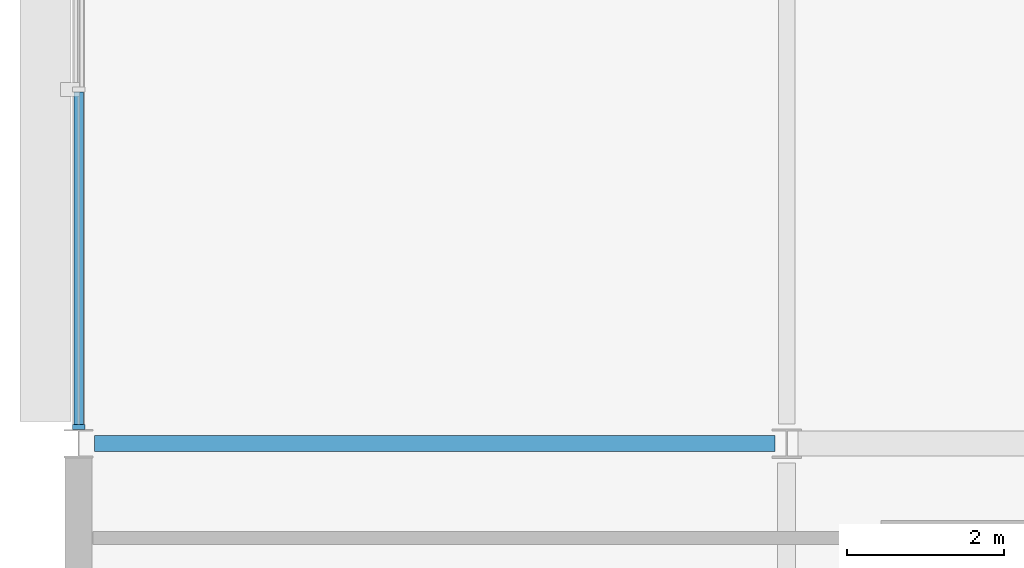
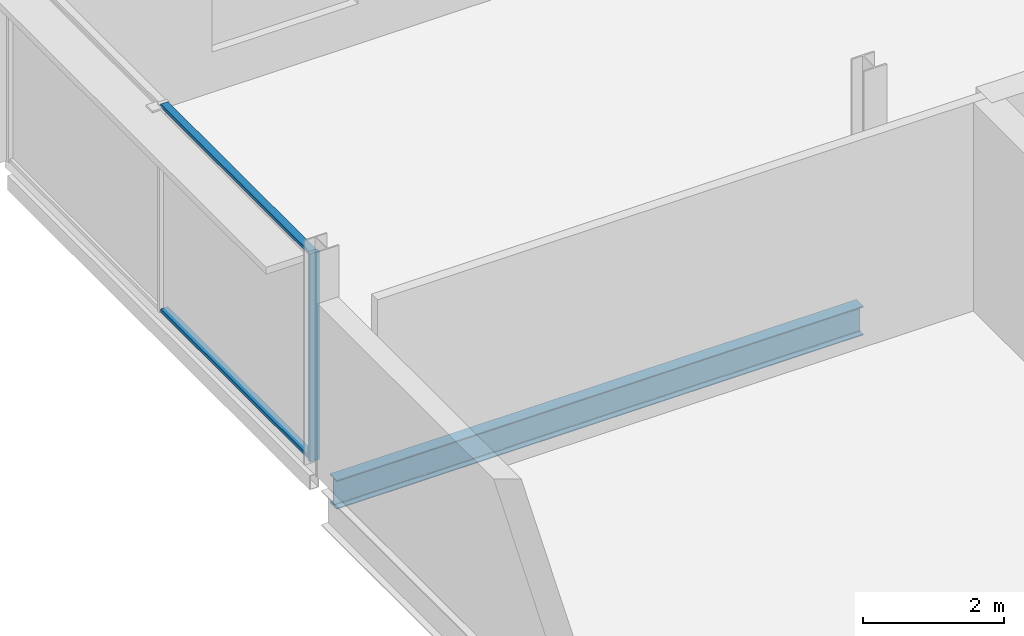
# One storey, part 29 of 98: 3 members, 1 beam, 1 element without a shape of its own.
"""IFC4 building model written with IfcOpenShell, lengths in metres."""

import ifcopenshell
import ifcopenshell.guid

model = None  # the IFC model being written
_history = None  # IfcOwnerHistory: only IFC2X3 demands one
_inside = {}  # id of a spatial element -> (the spatial element, [elements in it])
_under = {}  # id of a project, library or spatial element -> (it, [spatial elements below it])
_declared = {}  # id of a project -> (the project, [libraries it declares])
_typed = {}  # id of a type object -> (the type object, [elements of that type])
_made_of = {}  # id of a material, layer set ... -> (it, [elements and type objects made of it])


def new_model(schema):
    """Start an empty IFC model of exactly this schema.

    Asked for "IFC4X3", IfcOpenShell would pick the latest addendum, in which some entities
    have other attributes; the version numbers below select the first issue.
    IFC2X3 requires an IfcOwnerHistory on every rooted entity: one is made here for all.
    """
    global model, _history
    if schema == "IFC4X3":
        model = ifcopenshell.file(schema_version=(4, 3, 0, 0))
    else:
        model = ifcopenshell.file(schema=schema)
    _inside.clear()
    _under.clear()
    _declared.clear()
    _typed.clear()
    _made_of.clear()
    _history = None
    if model.schema == "IFC2X3":
        org = make("IfcOrganization", Name="unknown")
        user = make(
            "IfcPersonAndOrganization",
            ThePerson=make("IfcPerson", FamilyName="unknown"),
            TheOrganization=org,
        )
        app = make(
            "IfcApplication",
            ApplicationDeveloper=org,
            Version="unknown",
            ApplicationFullName="unknown",
            ApplicationIdentifier="unknown",
        )
        _history = make(
            "IfcOwnerHistory",
            OwningUser=user,
            OwningApplication=app,
            ChangeAction="ADDED",
            CreationDate=0,
        )
    return model


def make(cls, **values):
    """One entity of the class cls with the attributes given. An attribute that is None is left unset."""
    return model.create_entity(
        cls, **{name: value for name, value in values.items() if value is not None}
    )


def rooted(cls, **values):
    """An entity with a GlobalId (a new one), such as an element, a storey or a relation."""
    return make(cls, GlobalId=ifcopenshell.guid.new(), OwnerHistory=_history, **values)


def si_unit(unit_type, name, prefix=None):
    """IfcSIUnit, for example si_unit("LENGTHUNIT", "METRE", prefix="MILLI")."""
    return make("IfcSIUnit", UnitType=unit_type, Prefix=prefix, Name=name)


def assignment(units):
    """IfcUnitAssignment: the units of a project."""
    return None if units is None else make("IfcUnitAssignment", Units=units)


def point(xyz):
    """IfcCartesianPoint."""
    return None if xyz is None else make("IfcCartesianPoint", Coordinates=xyz)


def direction(xyz):
    """IfcDirection."""
    return None if xyz is None else make("IfcDirection", DirectionRatios=xyz)


def frame(location, z_axis=None, x_axis=None):
    """IfcAxis2Placement3D, a coordinate frame: its origin and axes. An axis left out is left unset."""
    return make(
        "IfcAxis2Placement3D",
        Location=point(location),
        Axis=direction(z_axis),
        RefDirection=direction(x_axis),
    )


def frame_2d(location, x_axis=None):
    """IfcAxis2Placement2D, a coordinate frame in the plane: its origin and x axis."""
    return make(
        "IfcAxis2Placement2D", Location=point(location), RefDirection=direction(x_axis)
    )


def origin():
    """The frame at (0, 0, 0) with its axes left unset."""
    return frame((0.0, 0.0, 0.0))


def origin_2d():
    """The frame at (0, 0) in the plane with its x axis left unset."""
    return frame_2d((0.0, 0.0))


def place(relative_to, where):
    """IfcLocalPlacement: puts the frame where relative to a parent placement (None: the world)."""
    return make(
        "IfcLocalPlacement", PlacementRelTo=relative_to, RelativePlacement=where
    )


def context(
    kind, dimensions, precision=None, world=None, true_north=None, identifier=None
):
    """IfcGeometricRepresentationContext, for example the 3D "Model" context."""
    return make(
        "IfcGeometricRepresentationContext",
        ContextIdentifier=identifier,
        ContextType=kind,
        CoordinateSpaceDimension=dimensions,
        Precision=precision,
        WorldCoordinateSystem=world,
        TrueNorth=true_north,
    )


def subcontext(parent, identifier, kind, view, scale=None):
    """IfcGeometricRepresentationSubContext, for example "Body" below "Model"."""
    return make(
        "IfcGeometricRepresentationSubContext",
        ContextIdentifier=identifier,
        ContextType=kind,
        ParentContext=parent,
        TargetScale=scale,
        TargetView=view,
    )


def project(units=None, contexts=None):
    """IfcProject with its units and contexts."""
    return rooted(
        "IfcProject",
        Name="project",
        RepresentationContexts=contexts,
        UnitsInContext=assignment(units),
    )


def spatial(cls, under=None, at=None, **own):
    """A site, building, storey or space (cls), placed at a placement, below another one or the project."""
    s = rooted(cls, ObjectPlacement=at, **own)
    if under is not None:
        _under.setdefault(under.id(), (under, []))[1].append(s)
    return s


def profile(cls, at=None, kind="AREA", **sizes):
    """A parametric profile (cls). Its sizes go by their IFC names, for example OverallWidth=200.0."""
    return make(cls, ProfileType=kind, Position=at, **sizes)


def rectangle(**sizes):
    """IfcRectangleProfileDef."""
    return profile("IfcRectangleProfileDef", **sizes)


def i_section(**sizes):
    """IfcIShapeProfileDef."""
    return profile("IfcIShapeProfileDef", **sizes)


def extrude(swept, where, along, depth):
    """IfcExtrudedAreaSolid: the profile swept, set in the frame where, extruded along a direction by depth."""
    return make(
        "IfcExtrudedAreaSolid",
        SweptArea=swept,
        Position=where,
        ExtrudedDirection=direction(along),
        Depth=depth,
    )


def shape(context_of_items, identifier, shape_type, items):
    """IfcShapeRepresentation: the items that make up one representation, for example the "Body"."""
    return make(
        "IfcShapeRepresentation",
        ContextOfItems=context_of_items,
        RepresentationIdentifier=identifier,
        RepresentationType=shape_type,
        Items=items,
    )


def material(Name=None, Category=None):
    """IfcMaterial."""
    return make("IfcMaterial", Name=Name, Category=Category)


def layer(
    of_material, thickness, ventilated=None, Name=None, Category=None, Priority=None
):
    """IfcMaterialLayer: one layer of a wall or slab, of a material (None: an air gap)."""
    return make(
        "IfcMaterialLayer",
        Material=of_material,
        LayerThickness=thickness,
        IsVentilated=ventilated,
        Name=Name,
        Category=Category,
        Priority=Priority,
    )


def layer_set(layers, Name=None):
    """IfcMaterialLayerSet."""
    return make("IfcMaterialLayerSet", MaterialLayers=layers, LayerSetName=Name)


def material_profile(
    of_material, cross_section, Name=None, Category=None, Priority=None
):
    """IfcMaterialProfile: a cross section and its material."""
    return make(
        "IfcMaterialProfile",
        Name=Name,
        Material=of_material,
        Profile=cross_section,
        Priority=Priority,
        Category=Category,
    )


def profile_set(profiles, Name=None, composite=None):
    """IfcMaterialProfileSet."""
    return make(
        "IfcMaterialProfileSet",
        Name=Name,
        MaterialProfiles=profiles,
        CompositeProfile=composite,
    )


def made_of(thing, what):
    """Note that an element or type object is made of a material, layer set ...; save() writes the relation."""
    if what is not None:
        _made_of.setdefault(what.id(), (what, []))[1].append(thing)
    return thing


def type_object(cls, material=None, **own):
    """A type object (cls), such as IfcWallType, which elements share."""
    return made_of(rooted(cls, **own), material)


def element(
    cls,
    number,
    at=None,
    inside=None,
    cuts=None,
    type_object=None,
    material=None,
    context=None,
    identifier="Body",
    shape_type=None,
    held_by="IfcProductDefinitionShape",
    body=None,
    shapes=None,
    **own,
):
    """One element of the class cls, such as IfcWall. Its Tag is "e" and its number.

    at: its placement. inside: the storey or other place that contains it. cuts: it is an
    opening in that element (IfcRelVoidsElement). A single representation is given by context,
    identifier, shape_type and body (its items); several are given by shapes. held_by: the class
    of the entity that holds the representations. save() writes the other relations.
    """
    e = rooted(cls, Tag="e%d" % number, ObjectPlacement=at, **own)
    if body is not None:
        shapes = [shape(context, identifier, shape_type, body)]
    if shapes is not None:
        e.Representation = make(held_by, Representations=shapes)
    if inside is not None:
        _inside.setdefault(inside.id(), (inside, []))[1].append(e)
    if cuts is not None:
        rooted(
            "IfcRelVoidsElement", RelatingBuildingElement=cuts, RelatedOpeningElement=e
        )
    if type_object is not None:
        _typed.setdefault(type_object.id(), (type_object, []))[1].append(e)
    return made_of(e, material)


def aggregate(whole, parts):
    """IfcRelAggregates: a whole, such as a stair, and the parts it consists of."""
    return rooted("IfcRelAggregates", RelatingObject=whole, RelatedObjects=parts)


def save(model, path):
    """Write the relations noted so far, then the file.

    IfcRelAggregates (storeys below a building ...), IfcRelContainedInSpatialStructure (elements
    in a storey), IfcRelDefinesByType, IfcRelAssociatesMaterial and IfcRelDeclares: one each for
    every whole, place, type object, material and project.
    """
    for whole, parts in _under.values():
        aggregate(whole, parts)
    for where, things in _inside.values():
        rooted(
            "IfcRelContainedInSpatialStructure",
            RelatedElements=things,
            RelatingStructure=where,
        )
    for kind, things in _typed.values():
        rooted("IfcRelDefinesByType", RelatedObjects=things, RelatingType=kind)
    for what, things in _made_of.values():
        rooted("IfcRelAssociatesMaterial", RelatedObjects=things, RelatingMaterial=what)
    for by, libraries in _declared.values():
        rooted("IfcRelDeclares", RelatingContext=by, RelatedDefinitions=libraries)
    model.write(path)


model = new_model("IFC4")

# Units and contexts
model_context = context("Model", 3, precision=1e-05, world=origin(), true_north=direction((0.0, 1.0)))
body_context = subcontext(model_context, "Body", "Model", "MODEL_VIEW")
ifc_project = project(units=[si_unit("LENGTHUNIT", "METRE"), si_unit("AREAUNIT", "SQUARE_METRE"), si_unit("VOLUMEUNIT", "CUBIC_METRE"), si_unit("PLANEANGLEUNIT", "RADIAN"), si_unit("MASSUNIT", "GRAM", prefix="KILO")], contexts=[model_context])

# Site, building, storey
site_placement = place(None, origin())
site = spatial("IfcSite", under=ifc_project, at=site_placement, CompositionType="ELEMENT")
building_placement = place(site_placement, origin())
building = spatial("IfcBuilding", under=site, at=building_placement, Name="Kisiwana Market Hall", CompositionType="ELEMENT")
storey_placement = place(building_placement, frame((0.0, 0.0, 29.39990234375)))
storey = spatial("IfcBuildingStorey", under=building, at=storey_placement, Name="L06", CompositionType="ELEMENT", Elevation=29.39990234375)

# Beam
ifc_material_1 = material(Name="Steel S355", Category="steel")
ifc_material_profile_1 = material_profile(ifc_material_1, i_section(OverallWidth=0.199951171875, OverallDepth=0.5, WebThickness=0.01025390625, FlangeThickness=0.01611328125, FilletRadius=0.02099609375, at=origin_2d()), Name="IPE 500")
ifc_profile_set_1 = profile_set([ifc_material_profile_1], Name="Steel S355")
beam_type = type_object("IfcBeamType", Name="BM-GIRD-IPE500", PredefinedType="BEAM", material=ifc_profile_set_1)
beam_placement = place(storey_placement, frame((0.19921875, 102.0, -0.494873046875), z_axis=(1.0, 0.0, 0.0), x_axis=(0.0, 1.0, 0.0)))
element("IfcBeam", 1, at=beam_placement, inside=storey, type_object=beam_type, Name="Floor beam B-1827", PredefinedType="BEAM", context=body_context, shape_type="SweptSolid", body=[
    extrude(i_section(OverallWidth=0.199951171875, OverallDepth=0.5, WebThickness=0.01025390625, FlangeThickness=0.01611328125, FilletRadius=0.02099609375, at=origin_2d()), origin(), (0.0, 0.0, 1.0), 8.65478515625),
])

# Curtain wall, members
ifc_material_2 = material(Name="Double-glazed solar-control low-E IGU", Category="glass")
ifc_layer = layer(ifc_material_2, 0.159912109375)
ifc_layer_set = layer_set([ifc_layer], Name="CW-ZNA-EW-8200")
curtain_wall_type = type_object("IfcCurtainWallType", Name="CW-ZNA-EW-8200", PredefinedType="USERDEFINED", material=ifc_layer_set)
curtain_wall_placement = place(storey_placement, origin())
curtain_wall = element("IfcCurtainWall", 2, at=curtain_wall_placement, inside=storey, type_object=curtain_wall_type, Name="Unitised curtain wall CW-199 (L06)", ObjectType="UNITISED CURTAIN WALL", PredefinedType="USERDEFINED")
ifc_material_3 = material(Name="Aluminium alloy 6063-T6", Category="aluminium")
ifc_material_profile_2 = material_profile(ifc_material_3, rectangle(XDim=0.06005859375, YDim=0.159912109375, at=origin_2d()), Name="ALU MULLION 60x160")
ifc_profile_set_2 = profile_set([ifc_material_profile_2], Name="Aluminium alloy 6063-T6")
member_type_1 = type_object("IfcMemberType", Name="CW-MULL-60x160", PredefinedType="MULLION", material=ifc_profile_set_2)
member_1_placement = place(storey_placement, frame((0.0, 102.2109375, 0.0), z_axis=(0.0, 0.0, 1.0), x_axis=(0.0, 1.0, 0.0)))
member_1 = element("IfcMember", 3, at=member_1_placement, type_object=member_type_1, Name="CW-199 mullion 1", PredefinedType="MULLION", context=body_context, shape_type="SweptSolid", body=[
    extrude(rectangle(XDim=0.06005859375, YDim=0.159912109375, at=origin_2d()), origin(), (0.0, 0.0, 1.0), 3.6201171875),
])
ifc_material_4 = material(Name="Aluminium alloy 6063-T6", Category="aluminium")
ifc_material_profile_3 = material_profile(ifc_material_4, rectangle(XDim=0.1201171875, YDim=0.06005859375, at=origin_2d()), Name="ALU TRANSOM 60x120")
ifc_profile_set_3 = profile_set([ifc_material_profile_3], Name="Aluminium alloy 6063-T6")
member_type_2 = type_object("IfcMemberType", Name="CW-TRAN-60x120", PredefinedType="USERDEFINED", material=ifc_profile_set_3)
member_2_placement = place(storey_placement, frame((0.0, 102.240966796875, 0.030029296875), z_axis=(0.0, 1.0, 0.0), x_axis=(-1.0, 0.0, 0.0)))
member_2 = element("IfcMember", 4, at=member_2_placement, type_object=member_type_2, Name="CW-199 transom 1.1", ObjectType="TRANSOM", PredefinedType="USERDEFINED", context=body_context, shape_type="SweptSolid", body=[
    extrude(rectangle(XDim=0.1201171875, YDim=0.06005859375, at=origin_2d()), origin(), (0.0, 0.0, 1.0), 4.22900390625),
])
member_3_placement = place(storey_placement, frame((0.0, 102.240966796875, 3.590087890625), z_axis=(0.0, 1.0, 0.0), x_axis=(-1.0, 0.0, 0.0)))
member_3 = element("IfcMember", 5, at=member_3_placement, type_object=member_type_2, Name="CW-199 transom 1.2", ObjectType="TRANSOM", PredefinedType="USERDEFINED", context=body_context, shape_type="SweptSolid", body=[
    extrude(rectangle(XDim=0.1201171875, YDim=0.06005859375, at=origin_2d()), origin(), (0.0, 0.0, 1.0), 4.22900390625),
])
aggregate(curtain_wall, [member_1, member_2, member_3])

save(model, "model.ifc")
